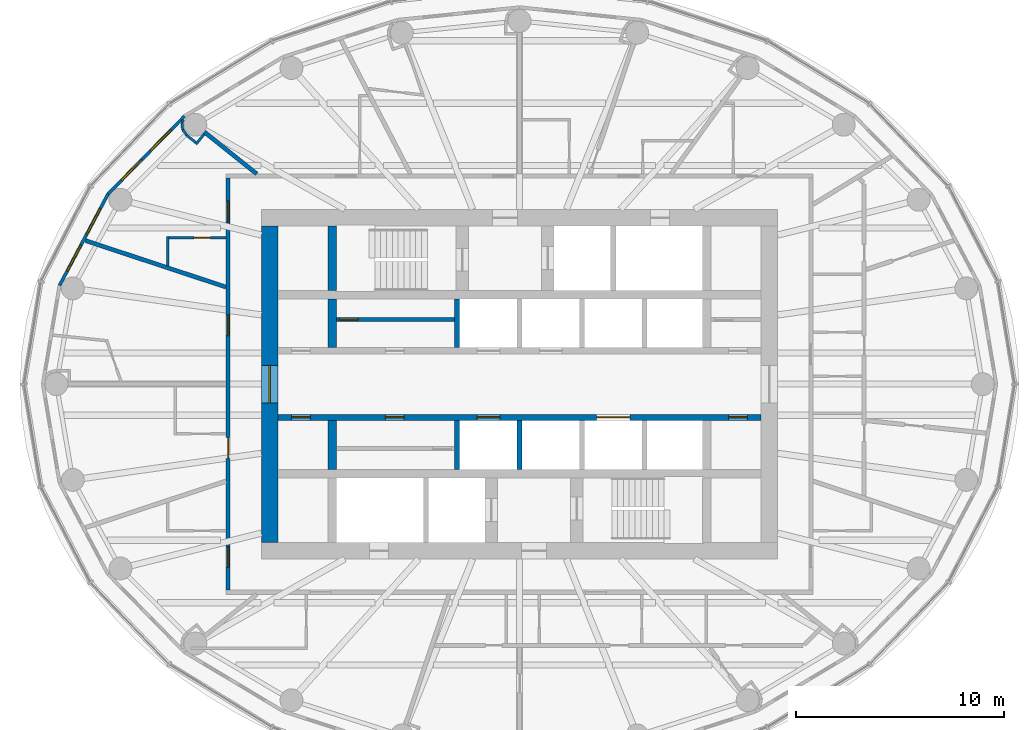
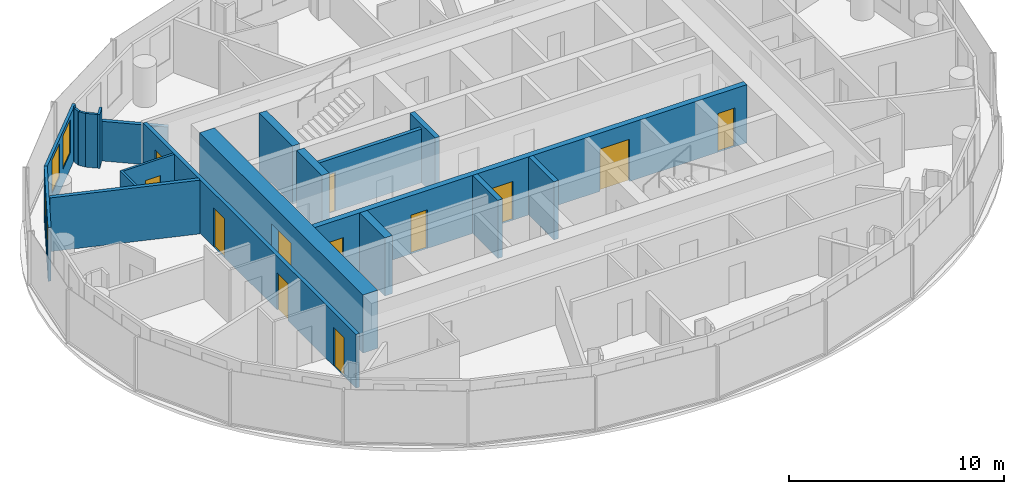
# One storey, part 8 of 14: 21 walls, 12 doors, 4 windows, 16 openings.
"""IFC4 building model written with IfcOpenShell, lengths in metres."""

from ifc_helpers import new_model, si_unit, direction, frame, frame_2d, origin, place, context, subcontext, project, spatial, rectangle, extrude, material, layer, layer_set, type_object, element, fill, save


model = new_model("IFC4")

# Units and contexts
model_context = context("Model", 3, precision=1e-05, world=origin(), true_north=direction((0.0, 1.0)))
body_context = subcontext(model_context, "Body", "Model", "MODEL_VIEW")
ifc_project = project(units=[si_unit("LENGTHUNIT", "METRE"), si_unit("AREAUNIT", "SQUARE_METRE"), si_unit("VOLUMEUNIT", "CUBIC_METRE"), si_unit("PLANEANGLEUNIT", "RADIAN"), si_unit("MASSUNIT", "GRAM", prefix="KILO")], contexts=[model_context])

# Site, building, storey
site_placement = place(None, origin())
site = spatial("IfcSite", under=ifc_project, at=site_placement, CompositionType="ELEMENT")
building_placement = place(site_placement, origin())
building = spatial("IfcBuilding", under=site, at=building_placement, Name="Hankou Lantern Tower", CompositionType="ELEMENT")
storey_placement = place(building_placement, frame((0.0, 0.0, 183.0)))
storey = spatial("IfcBuildingStorey", under=building, at=storey_placement, Name="L49", CompositionType="ELEMENT", Elevation=183.0)

# Wall, opening, door
ifc_material_1 = material(Name="Concrete C60", Category="concrete")
ifc_layer_1 = layer(ifc_material_1, 0.800048828125)
ifc_layer_set_1 = layer_set([ifc_layer_1], Name="Concrete C60")
wall_type_1 = type_object("IfcWallType", Name="CW2 CORE WALL 800", PredefinedType="SHEAR", material=ifc_layer_set_1)
wall_1_placement = place(storey_placement, frame((-12.0, 7.60009765625, 0.0), z_axis=(0.0, 0.0, 1.0), x_axis=(0.0, -1.0, 0.0)))
wall_1 = element("IfcWall", 1, at=wall_1_placement, inside=storey, type_object=wall_type_1, Name="Core wall west L49", PredefinedType="SHEAR", context=body_context, shape_type="SweptSolid", body=[
    extrude(rectangle(XDim=15.2001953125, YDim=0.800048828125, at=frame_2d((7.60009765625, 0.0))), origin(), (0.0, 0.0, 1.0), 3.300048828125),
])
opening_1_placement = place(wall_1_placement, frame((6.699951171875, 0.0, 0.0)))
opening_1 = element("IfcOpeningElement", 2, at=opening_1_placement, cuts=wall_1, Name="Opening D6", PredefinedType="OPENING", context=body_context, shape_type="SweptSolid", body=[
    extrude(rectangle(XDim=1.800048828125, YDim=2.199951171875, at=frame_2d((0.89990234375, 1.10009765625))), frame((0.0, 0.409912109375, 0.0), z_axis=(0.0, -1.0, 0.0), x_axis=(1.0, 0.0, 0.0)), (0.0, 0.0, 1.0), 0.820068359375),
])
ifc_material_2 = material(Name="Steel door leaf", Category="steel")
door_type_1 = type_object("IfcDoorType", Name="D6 LIFT LOBBY DOOR 1800X2200", OperationType="DOUBLE_DOOR_DOUBLE_SWING", PredefinedType="DOOR", material=ifc_material_2)
door_1_placement = place(opening_1_placement, origin())
door_1 = element("IfcDoor", 3, at=door_1_placement, inside=storey, type_object=door_type_1, Name="Lift lobby west door", OperationType="DOUBLE_DOOR_DOUBLE_SWING", OverallHeight=2.199951171875, OverallWidth=1.800048828125, PredefinedType="DOOR", context=body_context, shape_type="SweptSolid", body=[
    extrude(rectangle(XDim=1.800048828125, YDim=2.199951171875, at=frame_2d((0.89990234375, 1.10009765625))), frame((0.0, 0.02490234375, 0.0), z_axis=(0.0, -1.0, 0.0), x_axis=(1.0, 0.0, 0.0)), (0.0, 0.0, 1.0), 0.050048828125),
])
fill(opening_1, door_1)

# Walls
ifc_material_3 = material(Name="Concrete C60", Category="concrete")
ifc_layer_2 = layer(ifc_material_3, 0.39990234375)
ifc_layer_set_2 = layer_set([ifc_layer_2], Name="Concrete C60")
wall_type_2 = type_object("IfcWallType", Name="CW4 CORE CROSS WALL 400", PredefinedType="SHEAR", material=ifc_layer_set_2)
wall_2_placement = place(storey_placement, frame((-9.0, 4.5, 0.0), z_axis=(0.0, 0.0, 1.0), x_axis=(0.0, 1.0, 0.0)))
element("IfcWall", 4, at=wall_2_placement, inside=storey, type_object=wall_type_2, Name="Core strip wall L49", PredefinedType="SHEAR", context=body_context, shape_type="SweptSolid", body=[
    extrude(rectangle(XDim=3.10009765625, YDim=0.39990234375, at=frame_2d((1.550048828125, 0.0))), origin(), (0.0, 0.0, 1.0), 3.300048828125),
])
for number, where, z_axis, x_axis, name in (
    (5, (-9.0, 1.75, 0.0), (0.0, 0.0, 1.0), (0.0, 1.0, 0.0), "Core strip wall L49"),
    (6, (-9.0, -4.10009765625, 0.0), (0.0, 0.0, 1.0), (0.0, 1.0, 0.0), "Core strip wall L49"),
):
    element("IfcWall", number, at=place(storey_placement, frame(where, z_axis=z_axis, x_axis=x_axis)), inside=storey, type_object=wall_type_2, Name=name, PredefinedType="SHEAR", context=body_context, shape_type="SweptSolid", body=[
        extrude(rectangle(XDim=2.35009765625, YDim=0.39990234375, at=frame_2d((1.175048828125, 0.0))), origin(), (0.0, 0.0, 1.0), 3.300048828125),
    ])

# Wall, openings, doors
ifc_material_4 = material(Name="Concrete C60", Category="concrete")
ifc_layer_3 = layer(ifc_material_4, 0.300048828125)
ifc_layer_set_3 = layer_set([ifc_layer_3], Name="Concrete C60")
wall_type_3 = type_object("IfcWallType", Name="CW5 LIFT LOBBY WALL 300", PredefinedType="SHEAR", material=ifc_layer_set_3)
wall_3_placement = place(storey_placement, frame((-11.60009765625, -1.60009765625, 0.0), z_axis=(0.0, 0.0, 1.0), x_axis=(1.0, 0.0, 0.0)))
wall_3 = element("IfcWall", 7, at=wall_3_placement, inside=storey, type_object=wall_type_3, Name="Lift lobby wall south L49", PredefinedType="SHEAR", context=body_context, shape_type="SweptSolid", body=[
    extrude(rectangle(XDim=23.2001953125, YDim=0.300048828125, at=frame_2d((11.60009765625, 0.0))), origin(), (0.0, 0.0, 1.0), 3.300048828125),
])
opening_2_placement = place(wall_3_placement, frame((9.550048828125, 0.0, 0.0)))
opening_2 = element("IfcOpeningElement", 8, at=opening_2_placement, cuts=wall_3, Name="Opening LD1", PredefinedType="OPENING", context=body_context, shape_type="SweptSolid", body=[
    extrude(rectangle(XDim=1.10009765625, YDim=2.199951171875, at=frame_2d((0.550048828125, 1.10009765625))), frame((0.0, 0.159912109375, 0.0), z_axis=(0.0, -1.0, 0.0), x_axis=(1.0, 0.0, 0.0)), (0.0, 0.0, 1.0), 0.320068359375),
])
opening_3_placement = place(wall_3_placement, frame((15.300048828125, 0.0, 0.0)))
opening_3 = element("IfcOpeningElement", 9, at=opening_3_placement, cuts=wall_3, Name="Opening LD4", PredefinedType="OPENING", context=body_context, shape_type="SweptSolid", body=[
    extrude(rectangle(XDim=1.60009765625, YDim=2.39990234375, at=frame_2d((0.800048828125, 1.199951171875))), frame((0.0, 0.159912109375, 0.0), z_axis=(0.0, -1.0, 0.0), x_axis=(1.0, 0.0, 0.0)), (0.0, 0.0, 1.0), 0.320068359375),
])
opening_4_placement = place(wall_3_placement, frame((0.64990234375, 0.0, 0.0)))
opening_4 = element("IfcOpeningElement", 10, at=opening_4_placement, cuts=wall_3, Name="Opening D30", PredefinedType="OPENING", context=body_context, shape_type="SweptSolid", body=[
    extrude(rectangle(XDim=0.89990234375, YDim=2.199951171875, at=frame_2d((0.449951171875, 1.10009765625))), frame((0.0, 0.159912109375, 0.0), z_axis=(0.0, -1.0, 0.0), x_axis=(1.0, 0.0, 0.0)), (0.0, 0.0, 1.0), 0.320068359375),
])
opening_5_placement = place(wall_3_placement, frame((5.14990234375, 0.0, 0.0)))
opening_5 = element("IfcOpeningElement", 11, at=opening_5_placement, cuts=wall_3, Name="Opening D30", PredefinedType="OPENING", context=body_context, shape_type="SweptSolid", body=[
    extrude(rectangle(XDim=0.89990234375, YDim=2.199951171875, at=frame_2d((0.449951171875, 1.10009765625))), frame((0.0, 0.159912109375, 0.0), z_axis=(0.0, -1.0, 0.0), x_axis=(1.0, 0.0, 0.0)), (0.0, 0.0, 1.0), 0.320068359375),
])
opening_6_placement = place(wall_3_placement, frame((21.64990234375, 0.0, 0.0)))
opening_6 = element("IfcOpeningElement", 12, at=opening_6_placement, cuts=wall_3, Name="Opening D30", PredefinedType="OPENING", context=body_context, shape_type="SweptSolid", body=[
    extrude(rectangle(XDim=0.89990234375, YDim=2.199951171875, at=frame_2d((0.449951171875, 1.10009765625))), frame((0.0, 0.159912109375, 0.0), z_axis=(0.0, -1.0, 0.0), x_axis=(1.0, 0.0, 0.0)), (0.0, 0.0, 1.0), 0.320068359375),
])
ifc_material_5 = material(Name="Steel door leaf", Category="steel")
door_type_2 = type_object("IfcDoorType", Name="D30 CORE ROOM DOOR 900X2200", OperationType="SINGLE_SWING_LEFT", PredefinedType="DOOR", material=ifc_material_5)
door_2_placement = place(opening_4_placement, origin())
door_2 = element("IfcDoor", 13, at=door_2_placement, inside=storey, type_object=door_type_2, Name="Minibar store door", OperationType="SINGLE_SWING_LEFT", OverallHeight=2.199951171875, OverallWidth=0.89990234375, PredefinedType="DOOR", context=body_context, shape_type="SweptSolid", body=[
    extrude(rectangle(XDim=0.89990234375, YDim=2.199951171875, at=frame_2d((0.449951171875, 1.10009765625))), frame((0.0, 0.02490234375, 0.0), z_axis=(0.0, -1.0, 0.0), x_axis=(1.0, 0.0, 0.0)), (0.0, 0.0, 1.0), 0.050048828125),
])
fill(opening_4, door_2)
door_3_placement = place(opening_5_placement, origin())
door_3 = element("IfcDoor", 14, at=door_3_placement, inside=storey, type_object=door_type_2, Name="Guest pantry and ice room door", OperationType="SINGLE_SWING_LEFT", OverallHeight=2.199951171875, OverallWidth=0.89990234375, PredefinedType="DOOR", context=body_context, shape_type="SweptSolid", body=[
    extrude(rectangle(XDim=0.89990234375, YDim=2.199951171875, at=frame_2d((0.449951171875, 1.10009765625))), frame((0.0, 0.02490234375, 0.0), z_axis=(0.0, -1.0, 0.0), x_axis=(1.0, 0.0, 0.0)), (0.0, 0.0, 1.0), 0.050048828125),
])
fill(opening_5, door_3)
door_4_placement = place(opening_6_placement, origin())
door_4 = element("IfcDoor", 15, at=door_4_placement, inside=storey, type_object=door_type_2, Name="Vending room door", OperationType="SINGLE_SWING_RIGHT", OverallHeight=2.199951171875, OverallWidth=0.89990234375, PredefinedType="DOOR", context=body_context, shape_type="SweptSolid", body=[
    extrude(rectangle(XDim=0.89990234375, YDim=2.199951171875, at=frame_2d((0.449951171875, 1.10009765625))), frame((0.0, 0.02490234375, 0.0), z_axis=(0.0, -1.0, 0.0), x_axis=(1.0, 0.0, 0.0)), (0.0, 0.0, 1.0), 0.050048828125),
])
fill(opening_6, door_4)
ifc_material_6 = material(Name="Steel door leaf", Category="steel")
door_type_3 = type_object("IfcDoorType", Name="LD1 LIFT LANDING DOOR 1100X2200", OperationType="DOUBLE_DOOR_SLIDING", PredefinedType="DOOR", material=ifc_material_6)
door_5_placement = place(opening_2_placement, origin())
door_5 = element("IfcDoor", 16, at=door_5_placement, inside=storey, type_object=door_type_3, Name="Lift H3 landing door", OperationType="DOUBLE_DOOR_SLIDING", OverallHeight=2.199951171875, OverallWidth=1.10009765625, PredefinedType="DOOR", context=body_context, shape_type="SweptSolid", body=[
    extrude(rectangle(XDim=1.10009765625, YDim=2.199951171875, at=frame_2d((0.550048828125, 1.10009765625))), frame((0.0, 0.02490234375, 0.0), z_axis=(0.0, -1.0, 0.0), x_axis=(1.0, 0.0, 0.0)), (0.0, 0.0, 1.0), 0.050048828125),
])
fill(opening_2, door_5)
ifc_material_7 = material(Name="Steel door leaf", Category="steel")
door_type_4 = type_object("IfcDoorType", Name="LD4 SERVICE LIFT LANDING DOOR 1600X2400", OperationType="DOUBLE_DOOR_SLIDING", PredefinedType="DOOR", material=ifc_material_7)
door_6_placement = place(opening_3_placement, origin())
door_6 = element("IfcDoor", 17, at=door_6_placement, inside=storey, type_object=door_type_4, Name="Lift SV1 landing door", OperationType="DOUBLE_DOOR_SLIDING", OverallHeight=2.39990234375, OverallWidth=1.60009765625, PredefinedType="DOOR", context=body_context, shape_type="SweptSolid", body=[
    extrude(rectangle(XDim=1.60009765625, YDim=2.39990234375, at=frame_2d((0.800048828125, 1.199951171875))), frame((0.0, 0.02490234375, 0.0), z_axis=(0.0, -1.0, 0.0), x_axis=(1.0, 0.0, 0.0)), (0.0, 0.0, 1.0), 0.050048828125),
])
fill(opening_3, door_6)

# Wall, openings, windows
ifc_material_8 = material(Name="Aluminium spandrel panel on steel studs", Category="steel")
ifc_layer_4 = layer(ifc_material_8, 0.14990234375)
ifc_layer_set_4 = layer_set([ifc_layer_4], Name="Aluminium spandrel panel on steel studs")
wall_type_4 = type_object("IfcWallType", Name="EW1 INNER SKIN WALL 150", PredefinedType="ELEMENTEDWALL", material=ifc_layer_set_4)
wall_4_placement = place(storey_placement, frame((-16.0947265625, 12.875732421875, 0.0), z_axis=(0.0, 0.0, 1.0), x_axis=(-0.700727467776, -0.71342905457, 0.0)))
wall_4 = element("IfcWall", 18, at=wall_4_placement, inside=storey, type_object=wall_type_4, Name="Inner skin R10-R11 L49", PredefinedType="ELEMENTEDWALL", context=body_context, shape_type="SweptSolid", body=[
    extrude(rectangle(XDim=5.247314453125, YDim=0.14990234375, at=frame_2d((2.62353515625, 0.0))), origin(), (0.0, 0.0, 1.0), 3.050048828125),
])
opening_7_placement = place(wall_4_placement, frame((0.923583984375, 0.0, 0.89990234375)))
opening_7 = element("IfcOpeningElement", 19, at=opening_7_placement, cuts=wall_4, Name="Opening W3", PredefinedType="OPENING", context=body_context, shape_type="SweptSolid", body=[
    extrude(rectangle(XDim=1.39990234375, YDim=1.89990234375, at=frame_2d((0.699951171875, 0.949951171875))), frame((0.0, 0.0849609375, 0.0), z_axis=(0.0, -1.0, 0.0), x_axis=(1.0, 0.0, 0.0)), (0.0, 0.0, 1.0), 0.169921875),
])
opening_8_placement = place(wall_4_placement, frame((2.923583984375, 0.0, 0.89990234375)))
opening_8 = element("IfcOpeningElement", 20, at=opening_8_placement, cuts=wall_4, Name="Opening W3", PredefinedType="OPENING", context=body_context, shape_type="SweptSolid", body=[
    extrude(rectangle(XDim=1.39990234375, YDim=1.89990234375, at=frame_2d((0.699951171875, 0.949951171875))), frame((0.0, 0.0849609375, 0.0), z_axis=(0.0, -1.0, 0.0), x_axis=(1.0, 0.0, 0.0)), (0.0, 0.0, 1.0), 0.169921875),
])
ifc_material_9 = material(Name="Aluminium framed double glazed window", Category="aluminium")
window_type = type_object("IfcWindowType", Name="W3 GUEST ROOM WINDOW 1400X1900", PartitioningType="DOUBLE_PANEL_VERTICAL", PredefinedType="WINDOW", material=ifc_material_9)
window_1_placement = place(opening_7_placement, origin())
window_1 = element("IfcWindow", 21, at=window_1_placement, inside=storey, type_object=window_type, Name="Window R10.1 L49", OverallHeight=1.89990234375, OverallWidth=1.39990234375, PartitioningType="SINGLE_PANEL", PredefinedType="WINDOW", context=body_context, shape_type="SweptSolid", body=[
    extrude(rectangle(XDim=1.39990234375, YDim=1.89990234375, at=frame_2d((0.699951171875, 0.949951171875))), frame((0.0, 0.030029296875, 0.0), z_axis=(0.0, -1.0, 0.0), x_axis=(1.0, 0.0, 0.0)), (0.0, 0.0, 1.0), 0.06005859375),
])
fill(opening_7, window_1)
window_2_placement = place(opening_8_placement, origin())
window_2 = element("IfcWindow", 22, at=window_2_placement, inside=storey, type_object=window_type, Name="Window R10.2 L49", OverallHeight=1.89990234375, OverallWidth=1.39990234375, PartitioningType="SINGLE_PANEL", PredefinedType="WINDOW", context=body_context, shape_type="SweptSolid", body=[
    extrude(rectangle(XDim=1.39990234375, YDim=1.89990234375, at=frame_2d((0.699951171875, 0.949951171875))), frame((0.0, 0.030029296875, 0.0), z_axis=(0.0, -1.0, 0.0), x_axis=(1.0, 0.0, 0.0)), (0.0, 0.0, 1.0), 0.06005859375),
])
fill(opening_8, window_2)

wall_5_placement = place(storey_placement, frame((-19.771728515625, 9.132080078125, 0.0), z_axis=(0.0, 0.0, 1.0), x_axis=(-0.468428906714, -0.883501193748, 0.0)))
wall_5 = element("IfcWall", 23, at=wall_5_placement, inside=storey, type_object=wall_type_4, Name="Inner skin R11-R12 L49", PredefinedType="ELEMENTEDWALL", context=body_context, shape_type="SweptSolid", body=[
    extrude(rectangle(XDim=4.9736328125, YDim=0.14990234375, at=frame_2d((2.48681640625, 0.0))), origin(), (0.0, 0.0, 1.0), 3.050048828125),
])
opening_9_placement = place(wall_5_placement, frame((0.786865234375, 0.0, 0.89990234375)))
opening_9 = element("IfcOpeningElement", 24, at=opening_9_placement, cuts=wall_5, Name="Opening W3", PredefinedType="OPENING", context=body_context, shape_type="SweptSolid", body=[
    extrude(rectangle(XDim=1.39990234375, YDim=1.89990234375, at=frame_2d((0.699951171875, 0.949951171875))), frame((0.0, 0.0849609375, 0.0), z_axis=(0.0, -1.0, 0.0), x_axis=(1.0, 0.0, 0.0)), (0.0, 0.0, 1.0), 0.169921875),
])
opening_10_placement = place(wall_5_placement, frame((2.786865234375, 0.0, 0.89990234375)))
opening_10 = element("IfcOpeningElement", 25, at=opening_10_placement, cuts=wall_5, Name="Opening W3", PredefinedType="OPENING", context=body_context, shape_type="SweptSolid", body=[
    extrude(rectangle(XDim=1.39990234375, YDim=1.89990234375, at=frame_2d((0.699951171875, 0.949951171875))), frame((0.0, 0.0849609375, 0.0), z_axis=(0.0, -1.0, 0.0), x_axis=(1.0, 0.0, 0.0)), (0.0, 0.0, 1.0), 0.169921875),
])
window_3_placement = place(opening_9_placement, origin())
window_3 = element("IfcWindow", 26, at=window_3_placement, inside=storey, type_object=window_type, Name="Window R11.1 L49", OverallHeight=1.89990234375, OverallWidth=1.39990234375, PartitioningType="SINGLE_PANEL", PredefinedType="WINDOW", context=body_context, shape_type="SweptSolid", body=[
    extrude(rectangle(XDim=1.39990234375, YDim=1.89990234375, at=frame_2d((0.699951171875, 0.949951171875))), frame((0.0, 0.030029296875, 0.0), z_axis=(0.0, -1.0, 0.0), x_axis=(1.0, 0.0, 0.0)), (0.0, 0.0, 1.0), 0.06005859375),
])
fill(opening_9, window_3)
window_4_placement = place(opening_10_placement, origin())
window_4 = element("IfcWindow", 27, at=window_4_placement, inside=storey, type_object=window_type, Name="Window R11.2 L49", OverallHeight=1.89990234375, OverallWidth=1.39990234375, PartitioningType="SINGLE_PANEL", PredefinedType="WINDOW", context=body_context, shape_type="SweptSolid", body=[
    extrude(rectangle(XDim=1.39990234375, YDim=1.89990234375, at=frame_2d((0.699951171875, 0.949951171875))), frame((0.0, 0.030029296875, 0.0), z_axis=(0.0, -1.0, 0.0), x_axis=(1.0, 0.0, 0.0)), (0.0, 0.0, 1.0), 0.06005859375),
])
fill(opening_10, window_4)

# Walls
ifc_material_10 = material(Name="Masonry lightweight concrete block", Category="masonry")
ifc_layer_5 = layer(ifc_material_10, 0.199951171875)
ifc_layer_set_5 = layer_set([ifc_layer_5], Name="Masonry lightweight concrete block")
wall_type_5 = type_object("IfcWallType", Name="IW1 GUEST ROOM PARTY WALL 200", PredefinedType="PARTITIONING", material=ifc_layer_set_5)
wall_6_placement = place(storey_placement, frame((-12.625, 10.10009765625, 0.0), z_axis=(0.0, 0.0, 1.0), x_axis=(-0.780876185034, 0.624685827954, 0.0)))
element("IfcWall", 28, at=wall_6_placement, inside=storey, type_object=wall_type_5, Name="Party wall R10", PredefinedType="PARTITIONING", context=body_context, shape_type="SweptSolid", body=[
    extrude(rectangle(XDim=3.229248046875, YDim=0.199951171875, at=frame_2d((1.61474609375, 0.0))), origin(), (0.0, 0.0, 1.0), 2.25),
])
wall_7_placement = place(storey_placement, frame((-14.10009765625, 4.661376953125, 0.0), z_axis=(0.0, 0.0, 1.0), x_axis=(-0.949453216399, 0.313908569285, 0.0)))
element("IfcWall", 29, at=wall_7_placement, inside=storey, type_object=wall_type_5, Name="Party wall R11-R12", PredefinedType="PARTITIONING", context=body_context, shape_type="SweptSolid", body=[
    extrude(rectangle(XDim=7.108642578125, YDim=0.199951171875, at=frame_2d((3.55419921875, 0.0))), origin(), (0.0, 0.0, 1.0), 3.050048828125),
])

# Wall, openings, doors
ifc_material_11 = material(Name="Masonry lightweight concrete block", Category="masonry")
ifc_layer_6 = layer(ifc_material_11, 0.199951171875)
ifc_layer_set_6 = layer_set([ifc_layer_6], Name="Masonry lightweight concrete block")
wall_type_6 = type_object("IfcWallType", Name="IW2 CORRIDOR WALL 200", PredefinedType="PARTITIONING", material=ifc_layer_set_6)
wall_8_placement = place(storey_placement, frame((-14.0, 9.89990234375, 0.0), z_axis=(0.0, 0.0, 1.0), x_axis=(0.0, -1.0, 0.0)))
wall_8 = element("IfcWall", 30, at=wall_8_placement, inside=storey, type_object=wall_type_6, Name="Corridor wall west", PredefinedType="PARTITIONING", context=body_context, shape_type="SweptSolid", body=[
    extrude(rectangle(XDim=19.7998046875, YDim=0.199951171875, at=frame_2d((9.89990234375, 0.0))), origin(), (0.0, 0.0, 1.0), 3.050048828125),
])
opening_11_placement = place(wall_8_placement, frame((17.701416015625, 0.0, 0.0)))
opening_11 = element("IfcOpeningElement", 31, at=opening_11_placement, cuts=wall_8, Name="Opening D1", PredefinedType="OPENING", context=body_context, shape_type="SweptSolid", body=[
    extrude(rectangle(XDim=1.0, YDim=2.199951171875, at=frame_2d((0.5, 1.10009765625))), frame((0.0, 0.10986328125, 0.0), z_axis=(0.0, -1.0, 0.0), x_axis=(1.0, 0.0, 0.0)), (0.0, 0.0, 1.0), 0.219970703125),
])
opening_12_placement = place(wall_8_placement, frame((1.10009765625, 0.0, 0.0)))
opening_12 = element("IfcOpeningElement", 32, at=opening_12_placement, cuts=wall_8, Name="Opening D1", PredefinedType="OPENING", context=body_context, shape_type="SweptSolid", body=[
    extrude(rectangle(XDim=1.0, YDim=2.199951171875, at=frame_2d((0.5, 1.10009765625))), frame((0.0, 0.10986328125, 0.0), z_axis=(0.0, -1.0, 0.0), x_axis=(1.0, 0.0, 0.0)), (0.0, 0.0, 1.0), 0.219970703125),
])
opening_13_placement = place(wall_8_placement, frame((6.573974609375, 0.0, 0.0)))
opening_13 = element("IfcOpeningElement", 33, at=opening_13_placement, cuts=wall_8, Name="Opening D1", PredefinedType="OPENING", context=body_context, shape_type="SweptSolid", body=[
    extrude(rectangle(XDim=1.0, YDim=2.199951171875, at=frame_2d((0.5, 1.10009765625))), frame((0.0, 0.10986328125, 0.0), z_axis=(0.0, -1.0, 0.0), x_axis=(1.0, 0.0, 0.0)), (0.0, 0.0, 1.0), 0.219970703125),
])
opening_14_placement = place(wall_8_placement, frame((12.465087890625, 0.0, 0.0)))
opening_14 = element("IfcOpeningElement", 34, at=opening_14_placement, cuts=wall_8, Name="Opening D32", PredefinedType="OPENING", context=body_context, shape_type="SweptSolid", body=[
    extrude(rectangle(XDim=1.0, YDim=2.10009765625, at=frame_2d((0.5, 1.050048828125))), frame((0.0, 0.10986328125, 0.0), z_axis=(0.0, -1.0, 0.0), x_axis=(1.0, 0.0, 0.0)), (0.0, 0.0, 1.0), 0.219970703125),
])
ifc_material_12 = material(Name="Steel door leaf", Category="steel")
door_type_5 = type_object("IfcDoorType", Name="D1 GUEST ROOM DOOR 1000X2200", OperationType="SINGLE_SWING_LEFT", PredefinedType="DOOR", material=ifc_material_12)
door_7_placement = place(opening_11_placement, origin())
door_7 = element("IfcDoor", 35, at=door_7_placement, inside=storey, type_object=door_type_5, Name="Guest room door 4901", OperationType="SINGLE_SWING_RIGHT", OverallHeight=2.199951171875, OverallWidth=1.0, PredefinedType="DOOR", context=body_context, shape_type="SweptSolid", body=[
    extrude(rectangle(XDim=1.0, YDim=2.199951171875, at=frame_2d((0.5, 1.10009765625))), frame((0.0, 0.02490234375, 0.0), z_axis=(0.0, -1.0, 0.0), x_axis=(1.0, 0.0, 0.0)), (0.0, 0.0, 1.0), 0.050048828125),
])
fill(opening_11, door_7)
door_8_placement = place(opening_12_placement, origin())
door_8 = element("IfcDoor", 36, at=door_8_placement, inside=storey, type_object=door_type_5, Name="Guest room door 4910", OperationType="SINGLE_SWING_LEFT", OverallHeight=2.199951171875, OverallWidth=1.0, PredefinedType="DOOR", context=body_context, shape_type="SweptSolid", body=[
    extrude(rectangle(XDim=1.0, YDim=2.199951171875, at=frame_2d((0.5, 1.10009765625))), frame((0.0, 0.02490234375, 0.0), z_axis=(0.0, -1.0, 0.0), x_axis=(1.0, 0.0, 0.0)), (0.0, 0.0, 1.0), 0.050048828125),
])
fill(opening_12, door_8)
door_9_placement = place(opening_13_placement, origin())
door_9 = element("IfcDoor", 37, at=door_9_placement, inside=storey, type_object=door_type_5, Name="Guest room door 4911", OperationType="SINGLE_SWING_LEFT", OverallHeight=2.199951171875, OverallWidth=1.0, PredefinedType="DOOR", context=body_context, shape_type="SweptSolid", body=[
    extrude(rectangle(XDim=1.0, YDim=2.199951171875, at=frame_2d((0.5, 1.10009765625))), frame((0.0, 0.02490234375, 0.0), z_axis=(0.0, -1.0, 0.0), x_axis=(1.0, 0.0, 0.0)), (0.0, 0.0, 1.0), 0.050048828125),
])
fill(opening_13, door_9)
ifc_material_13 = material(Name="Steel door leaf", Category="steel")
door_type_6 = type_object("IfcDoorType", Name="D32 GUEST ROOM DOOR 1000X2100", OperationType="SINGLE_SWING_LEFT", PredefinedType="DOOR", material=ifc_material_13)
door_10_placement = place(opening_14_placement, origin())
door_10 = element("IfcDoor", 38, at=door_10_placement, inside=storey, type_object=door_type_6, Name="Guest room door 4912", OperationType="SINGLE_SWING_RIGHT", OverallHeight=2.10009765625, OverallWidth=1.0, PredefinedType="DOOR", context=body_context, shape_type="SweptSolid", body=[
    extrude(rectangle(XDim=1.0, YDim=2.10009765625, at=frame_2d((0.5, 1.050048828125))), frame((0.0, 0.02490234375, 0.0), z_axis=(0.0, -1.0, 0.0), x_axis=(1.0, 0.0, 0.0)), (0.0, 0.0, 1.0), 0.050048828125),
])
fill(opening_14, door_10)

# Wall
ifc_material_14 = material(Name="Masonry lightweight concrete block", Category="masonry")
ifc_layer_7 = layer(ifc_material_14, 0.1201171875)
ifc_layer_set_7 = layer_set([ifc_layer_7], Name="Masonry lightweight concrete block")
wall_type_7 = type_object("IfcWallType", Name="IW3 BATHROOM WALL 120", PredefinedType="PARTITIONING", material=ifc_layer_set_7)
wall_9_placement = place(storey_placement, frame((-16.89990234375, 5.687255859375, 0.0), z_axis=(0.0, 0.0, 1.0), x_axis=(0.0, 1.0, 0.0)))
element("IfcWall", 39, at=wall_9_placement, inside=storey, type_object=wall_type_7, Name="Box wall 4910 1", PredefinedType="PARTITIONING", context=body_context, shape_type="SweptSolid", body=[
    extrude(rectangle(XDim=1.414306640625, YDim=0.1201171875, at=frame_2d((0.70703125, 0.0))), origin(), (0.0, 0.0, 1.0), 3.050048828125),
])

# Wall, opening, door
wall_10_placement = place(storey_placement, frame((-14.10009765625, 7.04150390625, 0.0), z_axis=(0.0, 0.0, 1.0), x_axis=(-1.0, 0.0, 0.0)))
wall_10 = element("IfcWall", 40, at=wall_10_placement, inside=storey, type_object=wall_type_7, Name="Box wall 4910 1", PredefinedType="PARTITIONING", context=body_context, shape_type="SweptSolid", body=[
    extrude(rectangle(XDim=2.739990234375, YDim=0.1201171875, at=frame_2d((1.3701171875, 0.0))), origin(), (0.0, 0.0, 1.0), 3.050048828125),
])
opening_15_placement = place(wall_10_placement, frame((0.75, 0.0, 0.0)))
opening_15 = element("IfcOpeningElement", 41, at=opening_15_placement, cuts=wall_10, Name="Opening D3", PredefinedType="OPENING", context=body_context, shape_type="SweptSolid", body=[
    extrude(rectangle(XDim=0.800048828125, YDim=2.10009765625, at=frame_2d((0.39990234375, 1.050048828125))), frame((0.0, 0.070068359375, 0.0), z_axis=(0.0, -1.0, 0.0), x_axis=(1.0, 0.0, 0.0)), (0.0, 0.0, 1.0), 0.14013671875),
])
ifc_material_15 = material(Name="Timber door leaf", Category="wood")
door_type_7 = type_object("IfcDoorType", Name="D3 BATHROOM DOOR 800X2100", OperationType="SINGLE_SWING_LEFT", PredefinedType="DOOR", material=ifc_material_15)
door_11_placement = place(opening_15_placement, origin())
door_11 = element("IfcDoor", 42, at=door_11_placement, inside=storey, type_object=door_type_7, Name="En-suite bathroom 4910 door", OperationType="SINGLE_SWING_LEFT", OverallHeight=2.10009765625, OverallWidth=0.800048828125, PredefinedType="DOOR", context=body_context, shape_type="SweptSolid", body=[
    extrude(rectangle(XDim=0.800048828125, YDim=2.10009765625, at=frame_2d((0.39990234375, 1.050048828125))), frame((0.0, 0.02490234375, 0.0), z_axis=(0.0, -1.0, 0.0), x_axis=(1.0, 0.0, 0.0)), (0.0, 0.0, 1.0), 0.050048828125),
])
fill(opening_15, door_11)

# Walls
ifc_material_16 = material(Name="Masonry lightweight concrete block", Category="masonry")
ifc_layer_8 = layer(ifc_material_16, 0.1201171875)
ifc_layer_set_8 = layer_set([ifc_layer_8], Name="Masonry lightweight concrete block")
wall_type_8 = type_object("IfcWallType", Name="IW4 PARTITION 120", PredefinedType="PARTITIONING", material=ifc_layer_set_8)
wall_11_placement = place(storey_placement, frame((-15.162353515625, 12.001708984375, 0.0), z_axis=(0.0, 0.0, 1.0), x_axis=(-0.624597762427, -0.780946627607, 0.0)))
element("IfcWall", 43, at=wall_11_placement, inside=storey, type_object=wall_type_8, Name="Column casing R10 return", PredefinedType="PARTITIONING", context=body_context, shape_type="SweptSolid", body=[
    extrude(rectangle(XDim=0.612060546875, YDim=0.1201171875, at=frame_2d((0.30615234375, 0.0))), origin(), (0.0, 0.0, 1.0), 3.050048828125),
])
wall_12_placement = place(storey_placement, frame((-15.55419921875, 11.60791015625, 0.0), z_axis=(0.0, 0.0, 1.0), x_axis=(-0.780695577787, 0.624911525597, 0.0)))
element("IfcWall", 44, at=wall_12_placement, inside=storey, type_object=wall_type_8, Name="Column casing R10", PredefinedType="PARTITIONING", context=body_context, shape_type="SweptSolid", body=[
    extrude(rectangle(XDim=0.550048828125, YDim=0.1201171875, at=frame_2d((0.27490234375, 0.0))), origin(), (0.0, 0.0, 1.0), 3.050048828125),
])
wall_13_placement = place(storey_placement, frame((-15.983642578125, 11.95166015625, 0.0), z_axis=(0.0, 0.0, 1.0), x_axis=(-0.592335221171, 0.805691619517, 0.0)))
element("IfcWall", 45, at=wall_13_placement, inside=storey, type_object=wall_type_8, Name="Column casing R10", PredefinedType="PARTITIONING", context=body_context, shape_type="SweptSolid", body=[
    extrude(rectangle(XDim=0.337646484375, YDim=0.1201171875, at=frame_2d((0.1689453125, 0.0))), origin(), (0.0, 0.0, 1.0), 3.050048828125),
])
wall_14_placement = place(storey_placement, frame((-16.18359375, 12.2236328125, 0.0), z_axis=(0.0, 0.0, 1.0), x_axis=(-0.110669692975, 0.993857242795, 0.0)))
element("IfcWall", 46, at=wall_14_placement, inside=storey, type_object=wall_type_8, Name="Column casing R10", PredefinedType="PARTITIONING", context=body_context, shape_type="SweptSolid", body=[
    extrude(rectangle(XDim=0.33740234375, YDim=0.1201171875, at=frame_2d((0.168701171875, 0.0))), origin(), (0.0, 0.0, 1.0), 3.050048828125),
])
wall_15_placement = place(storey_placement, frame((-16.220947265625, 12.55908203125, 0.0), z_axis=(0.0, 0.0, 1.0), x_axis=(0.401064416249, 0.916049853457, 0.0)))
element("IfcWall", 47, at=wall_15_placement, inside=storey, type_object=wall_type_8, Name="Column casing R10", PredefinedType="PARTITIONING", context=body_context, shape_type="SweptSolid", body=[
    extrude(rectangle(XDim=0.156494140625, YDim=0.1201171875, at=frame_2d((0.078125, 0.0))), origin(), (0.0, 0.0, 1.0), 3.050048828125),
])

# Wall, opening, door
ifc_material_17 = material(Name="Masonry lightweight concrete block", Category="masonry")
ifc_layer_9 = layer(ifc_material_17, 0.199951171875)
ifc_layer_set_9 = layer_set([ifc_layer_9], Name="Masonry lightweight concrete block")
wall_type_9 = type_object("IfcWallType", Name="IW8 PARTITION 200", PredefinedType="PARTITIONING", material=ifc_layer_set_9)
wall_16_placement = place(storey_placement, frame((-8.800048828125, 3.10009765625, 0.0), z_axis=(0.0, 0.0, 1.0), x_axis=(1.0, 0.0, 0.0)))
wall_16 = element("IfcWall", 48, at=wall_16_placement, inside=storey, type_object=wall_type_9, Name="Partition housekeeping and linen store", PredefinedType="PARTITIONING", context=body_context, shape_type="SweptSolid", body=[
    extrude(rectangle(XDim=5.675048828125, YDim=0.199951171875, at=frame_2d((2.83740234375, 0.0))), origin(), (0.0, 0.0, 1.0), 3.050048828125),
])
opening_16_placement = place(wall_16_placement, frame((0.14990234375, 0.0, 0.0)))
opening_16 = element("IfcOpeningElement", 49, at=opening_16_placement, cuts=wall_16, Name="Opening D12", PredefinedType="OPENING", context=body_context, shape_type="SweptSolid", body=[
    extrude(rectangle(XDim=0.89990234375, YDim=2.199951171875, at=frame_2d((0.449951171875, 1.10009765625))), frame((0.0, 0.10986328125, 0.0), z_axis=(0.0, -1.0, 0.0), x_axis=(1.0, 0.0, 0.0)), (0.0, 0.0, 1.0), 0.219970703125),
])
ifc_material_18 = material(Name="Steel door leaf", Category="steel")
door_type_8 = type_object("IfcDoorType", Name="D12 STORE DOOR 900X2200", OperationType="SINGLE_SWING_LEFT", PredefinedType="DOOR", material=ifc_material_18)
door_12_placement = place(opening_16_placement, origin())
door_12 = element("IfcDoor", 50, at=door_12_placement, inside=storey, type_object=door_type_8, Name="Chemical cupboard door", OperationType="SINGLE_SWING_LEFT", OverallHeight=2.199951171875, OverallWidth=0.89990234375, PredefinedType="DOOR", context=body_context, shape_type="SweptSolid", body=[
    extrude(rectangle(XDim=0.89990234375, YDim=2.199951171875, at=frame_2d((0.449951171875, 1.10009765625))), frame((0.0, 0.02490234375, 0.0), z_axis=(0.0, -1.0, 0.0), x_axis=(1.0, 0.0, 0.0)), (0.0, 0.0, 1.0), 0.050048828125),
])
fill(opening_16, door_12)

# Walls
ifc_material_19 = material(Name="Masonry autoclaved aerated concrete block", Category="masonry")
ifc_layer_10 = layer(ifc_material_19, 0.25)
ifc_layer_set_10 = layer_set([ifc_layer_10], Name="Masonry autoclaved aerated concrete block")
wall_type_10 = type_object("IfcWallType", Name="SW1 SHAFT BLOCK WALL 250", PredefinedType="PARTITIONING", material=ifc_layer_set_10)
for number, where, z_axis, x_axis, name in (
    (51, (-3.0, 1.75, 0.0), (0.0, 0.0, 1.0), (0.0, 1.0, 0.0), "Lift shaft wall L49"),
    (52, (-3.0, -4.10009765625, 0.0), (0.0, 0.0, 1.0), (0.0, 1.0, 0.0), "Lift shaft wall L49"),
    (53, (0.0, -4.10009765625, 0.0), (0.0, 0.0, 1.0), (0.0, 1.0, 0.0), "Lift shaft wall L49"),
):
    element("IfcWall", number, at=place(storey_placement, frame(where, z_axis=z_axis, x_axis=x_axis)), inside=storey, type_object=wall_type_10, Name=name, PredefinedType="PARTITIONING", context=body_context, shape_type="SweptSolid", body=[
        extrude(rectangle(XDim=2.35009765625, YDim=0.25, at=frame_2d((1.175048828125, 0.0))), origin(), (0.0, 0.0, 1.0), 3.300048828125),
    ])

save(model, "model.ifc")
